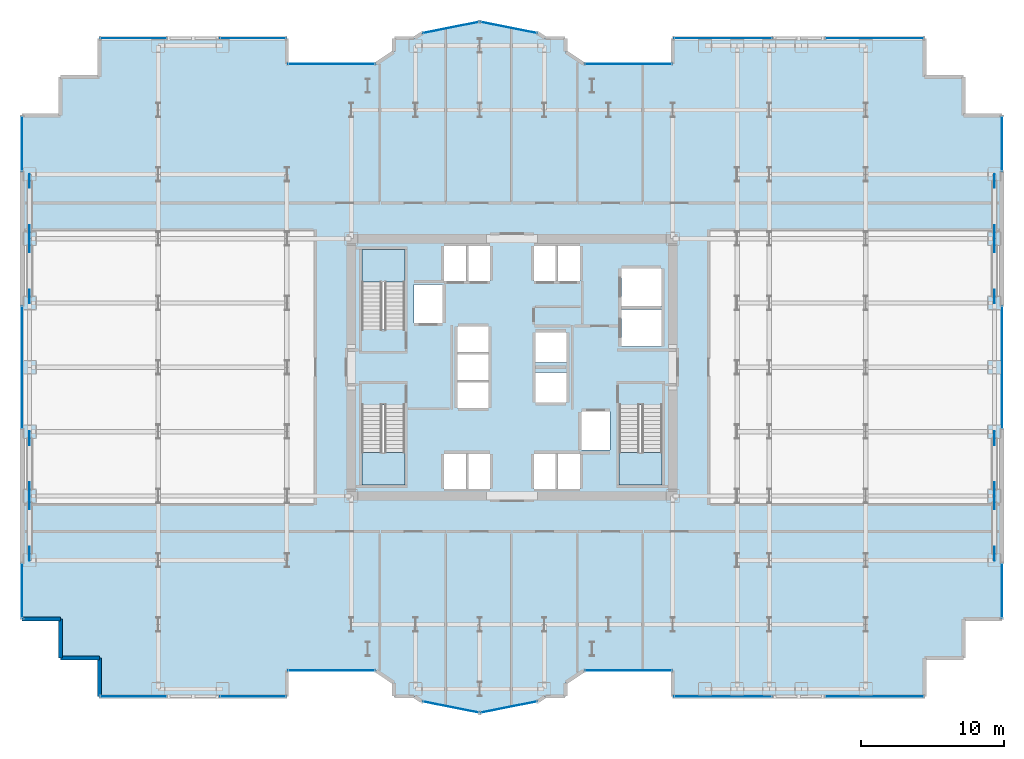
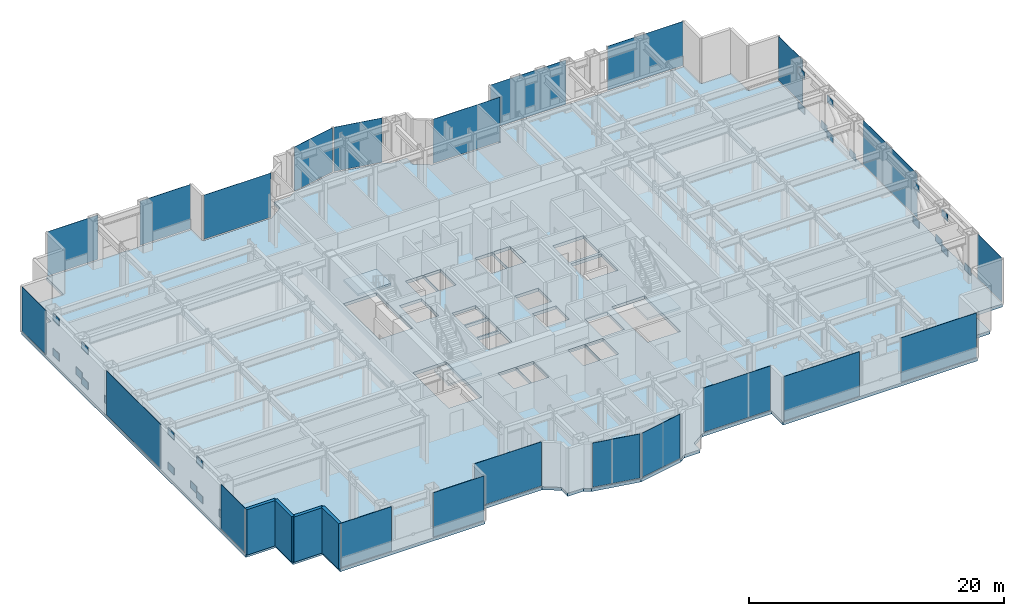
# One storey, part 21 of 30: 46 plates, 4 slabs, 4 walls, 25 elements without a shape of their own.
"""IFC4 building model written with IfcOpenShell, lengths in metres."""

from ifc_helpers import new_model, si_unit, direction, frame, frame_2d, origin, origin_2d, place, context, subcontext, project, spatial, polyline, rectangle, outline, extrude, source, transform, mapped, material, layer, layer_set, type_object, element, aggregate, save


model = new_model("IFC4")

# Units and contexts
model_context = context("Model", 3, precision=1e-05, world=origin(), true_north=direction((0.0, 1.0)))
body_context = subcontext(model_context, "Body", "Model", "MODEL_VIEW")
ifc_project = project(units=[si_unit("LENGTHUNIT", "METRE"), si_unit("AREAUNIT", "SQUARE_METRE"), si_unit("VOLUMEUNIT", "CUBIC_METRE"), si_unit("PLANEANGLEUNIT", "RADIAN"), si_unit("MASSUNIT", "GRAM", prefix="KILO")], contexts=[model_context])

# Site, building, storey
site_placement = place(None, origin())
site = spatial("IfcSite", under=ifc_project, at=site_placement, CompositionType="ELEMENT")
building_placement = place(site_placement, origin())
building = spatial("IfcBuilding", under=site, at=building_placement, Name="Nefas-Gora Pilgrimage Tower", CompositionType="ELEMENT")
storey_placement = place(building_placement, frame((0.0, 0.0, 86.199951171875)))
storey = spatial("IfcBuildingStorey", under=building, at=storey_placement, Name="L20", CompositionType="ELEMENT", Elevation=86.199951171875)

# Slab
ifc_material_1 = material(Name="Concrete C45/55", Category="concrete")
ifc_layer_1 = layer(ifc_material_1, 0.300048828125)
ifc_layer_set_1 = layer_set([ifc_layer_1], Name="Concrete C45/55")
slab_type_1 = type_object("IfcSlabType", Name="SLB-SPEC-300", PredefinedType="FLOOR", material=ifc_layer_set_1)
slab_1_placement = place(storey_placement, frame((0.0, 0.0, -0.300048828125)))
element("IfcSlab", 1, at=slab_1_placement, inside=storey, type_object=slab_type_1, Name="L20 Structural Floor Slab", PredefinedType="FLOOR", context=body_context, shape_type="SweptSolid", body=[
    extrude(outline(polyline([(5.01806640625, -21.219970703125), (11.25, -21.219970703125), (11.25, -23.02001953125), (28.8701171875, -23.02001953125), (28.8701171875, -20.320068359375), (31.570068359375, -20.320068359375), (31.570068359375, -17.6201171875), (34.27001953125, -17.6201171875), (34.27001953125, 17.6201171875), (31.570068359375, 17.6201171875), (31.570068359375, 20.320068359375), (28.8701171875, 20.320068359375), (28.8701171875, 23.02001953125), (11.25, 23.02001953125), (11.25, 21.219970703125), (5.01806640625, 21.219970703125), (3.75, 22.0673828125), (3.75, 23.02001953125), (2.32421875, 23.02001953125), (1.807373046875, 23.365234375), (-2.25, 24.17236328125), (-6.307373046875, 23.365234375), (-6.82421875, 23.02001953125), (-8.25, 23.02001953125), (-8.25, 22.0673828125), (-9.51806640625, 21.219970703125), (-15.75, 21.219970703125), (-15.75, 23.02001953125), (-28.8701171875, 23.02001953125), (-28.8701171875, 20.320068359375), (-31.570068359375, 20.320068359375), (-31.570068359375, 17.6201171875), (-34.27001953125, 17.6201171875), (-34.27001953125, -17.6201171875), (-31.570068359375, -17.6201171875), (-31.570068359375, -20.320068359375), (-28.8701171875, -20.320068359375), (-28.8701171875, -23.02001953125), (-15.75, -23.02001953125), (-15.75, -21.219970703125), (-9.51806640625, -21.219970703125), (-8.25, -22.0673828125), (-8.25, -23.02001953125), (-6.82421875, -23.02001953125), (-6.307373046875, -23.365234375), (-2.25, -24.17236328125), (1.807373046875, -23.365234375), (2.32421875, -23.02001953125), (3.75, -23.02001953125), (3.75, -22.0673828125), (5.01806640625, -21.219970703125)]), holes=[polyline([(-10.5, 2.639892578125), (-10.5, 8.25), (-7.5, 8.25), (-7.5, 2.639892578125), (-10.5, 2.639892578125)]), polyline([(10.5, -2.639892578125), (10.5, -8.25), (7.5, -8.25), (7.5, -2.639892578125), (10.5, -2.639892578125)]), polyline([(-7.5, -2.639892578125), (-7.5, -8.25), (-10.5, -8.25), (-10.5, -2.639892578125), (-7.5, -2.639892578125)]), polyline([(-6.85009765625, 5.800048828125), (-4.85009765625, 5.800048828125), (-4.85009765625, 3.10009765625), (-6.85009765625, 3.10009765625), (-6.85009765625, 5.800048828125)]), polyline([(4.85009765625, -3.10009765625), (6.85009765625, -3.10009765625), (6.85009765625, -5.800048828125), (4.85009765625, -5.800048828125), (4.85009765625, -3.10009765625)]), polyline([(7.64990234375, 4.050048828125), (10.449951171875, 4.050048828125), (10.449951171875, 1.449951171875), (7.64990234375, 1.449951171875), (7.64990234375, 4.050048828125)]), polyline([(7.64990234375, 6.89990234375), (10.449951171875, 6.89990234375), (10.449951171875, 4.300048828125), (7.64990234375, 4.300048828125), (7.64990234375, 6.89990234375)]), polyline([(-4.75, 8.5), (-3.14990234375, 8.5), (-3.14990234375, 6.050048828125), (-4.75, 6.050048828125), (-4.75, 8.5)]), polyline([(-3.10009765625, 8.5), (-1.550048828125, 8.5), (-1.550048828125, 6.050048828125), (-3.10009765625, 6.050048828125), (-3.10009765625, 8.5)]), polyline([(1.550048828125, 8.5), (3.10009765625, 8.5), (3.10009765625, 6.050048828125), (1.550048828125, 6.050048828125), (1.550048828125, 8.5)]), polyline([(3.14990234375, 8.5), (4.75, 8.5), (4.75, 6.050048828125), (3.14990234375, 6.050048828125), (3.14990234375, 8.5)]), polyline([(-4.75, -6.050048828125), (-3.14990234375, -6.050048828125), (-3.14990234375, -8.5), (-4.75, -8.5), (-4.75, -6.050048828125)]), polyline([(-3.10009765625, -6.050048828125), (-1.550048828125, -6.050048828125), (-1.550048828125, -8.5), (-3.10009765625, -8.5), (-3.10009765625, -6.050048828125)]), polyline([(1.550048828125, -6.050048828125), (3.10009765625, -6.050048828125), (3.10009765625, -8.5), (1.550048828125, -8.5), (1.550048828125, -6.050048828125)]), polyline([(3.14990234375, -6.050048828125), (4.75, -6.050048828125), (4.75, -8.5), (3.14990234375, -8.5), (3.14990234375, -6.050048828125)]), polyline([(-3.800048828125, -1.050048828125), (-1.64990234375, -1.050048828125), (-1.64990234375, -2.85009765625), (-3.800048828125, -2.85009765625), (-3.800048828125, -1.050048828125)]), polyline([(-3.800048828125, 0.89990234375), (-1.64990234375, 0.89990234375), (-1.64990234375, -0.89990234375), (-3.800048828125, -0.89990234375), (-3.800048828125, 0.89990234375)]), polyline([(-3.800048828125, 2.85009765625), (-1.64990234375, 2.85009765625), (-1.64990234375, 1.050048828125), (-3.800048828125, 1.050048828125), (-3.800048828125, 2.85009765625)]), polyline([(1.64990234375, -0.35009765625), (3.800048828125, -0.35009765625), (3.800048828125, -2.449951171875), (1.64990234375, -2.449951171875), (1.64990234375, -0.35009765625)]), polyline([(1.64990234375, 2.449951171875), (3.800048828125, 2.449951171875), (3.800048828125, 0.35009765625), (1.64990234375, 0.35009765625), (1.64990234375, 2.449951171875)])]), origin(), (0.0, 0.0, 1.0), 0.300048828125),
])

# Stair, slab
stair_type = type_object("IfcStairType", Name="STR-1400-R1769", PredefinedType="HALF_TURN_STAIR", material=ifc_material_1)
stair_1_placement = place(storey_placement, origin())
stair_1 = element("IfcStair", 2, at=stair_1_placement, inside=storey, type_object=stair_type, Name="L20 Pressurised Tower Exit Stair ST-01", PredefinedType="HALF_TURN_STAIR")
ifc_material_2 = material(Name="Concrete C40/50", Category="concrete")
ifc_layer_2 = layer(ifc_material_2, 0.199951171875)
ifc_layer_set_2 = layer_set([ifc_layer_2], Name="Concrete C40/50")
slab_type_2 = type_object("IfcSlabType", Name="STR-LAND-200", PredefinedType="LANDING", material=ifc_layer_set_2)
slab_2_placement = place(storey_placement, frame((0.0, 0.0, 2.10009765625)))
slab_2 = element("IfcSlab", 3, at=slab_2_placement, type_object=slab_type_2, Name="ST-01 landing 1", PredefinedType="LANDING", context=body_context, shape_type="SweptSolid", body=[
    extrude(outline(polyline([(-7.5, 5.9599609375), (-7.5, 8.25), (-10.5, 8.25), (-10.5, 5.9599609375), (-7.5, 5.9599609375)])), origin(), (0.0, 0.0, 1.0), 0.199951171875),
])
aggregate(stair_1, [slab_2])

stair_2_placement = place(storey_placement, origin())
stair_2 = element("IfcStair", 4, at=stair_2_placement, inside=storey, type_object=stair_type, Name="L20 Pressurised Tower Exit Stair ST-02", PredefinedType="HALF_TURN_STAIR")
slab_3_placement = place(storey_placement, frame((0.0, 0.0, 2.10009765625)))
slab_3 = element("IfcSlab", 5, at=slab_3_placement, type_object=slab_type_2, Name="ST-02 landing 1", PredefinedType="LANDING", context=body_context, shape_type="SweptSolid", body=[
    extrude(outline(polyline([(7.5, -5.9599609375), (7.5, -8.25), (10.5, -8.25), (10.5, -5.9599609375), (7.5, -5.9599609375)])), origin(), (0.0, 0.0, 1.0), 0.199951171875),
])
aggregate(stair_2, [slab_3])

stair_3_placement = place(storey_placement, origin())
stair_3 = element("IfcStair", 6, at=stair_3_placement, inside=storey, type_object=stair_type, Name="L20 Pressurised Tower Exit Stair ST-03", PredefinedType="HALF_TURN_STAIR")
slab_4_placement = place(storey_placement, frame((0.0, 0.0, 2.10009765625)))
slab_4 = element("IfcSlab", 7, at=slab_4_placement, type_object=slab_type_2, Name="ST-03 landing 1", PredefinedType="LANDING", context=body_context, shape_type="SweptSolid", body=[
    extrude(outline(polyline([(-10.5, -5.9599609375), (-10.5, -8.25), (-7.5, -8.25), (-7.5, -5.9599609375), (-10.5, -5.9599609375)])), origin(), (0.0, 0.0, 1.0), 0.199951171875),
])
aggregate(stair_3, [slab_4])

# Plates
ifc_material_3 = material(Name="Steel S460", Category="steel")
ifc_layer_3 = layer(ifc_material_3, 0.0419921875)
ifc_layer_set_3 = layer_set([ifc_layer_3], Name="Steel S460")
plate_type_1 = type_object("IfcPlateType", Name="PLT-NODE-N04", PredefinedType="USERDEFINED", material=ifc_layer_set_3)
shared_shape_1 = source(origin(), body_context, "Body", "SweptSolid", [
    extrude(rectangle(XDim=0.9599609375, YDim=0.0419921875, at=origin_2d()), origin(), (0.0, 0.0, 1.0), 0.679931640625),
])
for number, where, z_axis, x_axis, name in (
    (8, (-33.75, -13.037109375, 0.39599609375), (0.0, 0.0, 1.0), (0.0, 1.0, 0.0), "Structural Node Gusset Plate N04 (L20)"),
    (9, (-33.75, -9.462890625, 0.01025390625), (0.0, 0.0, 1.0), (0.0, 1.0, 0.0), "Structural Node Gusset Plate N04 (L20)"),
    (10, (-33.75, -9.462890625, 3.37451171875), (0.0, 0.0, 1.0), (0.0, 1.0, 0.0), "Structural Node Gusset Plate N04 (L20)"),
    (11, (-33.75, -8.537109375, 0.39599609375), (0.0, 0.0, 1.0), (0.0, 1.0, 0.0), "Structural Node Gusset Plate N04 (L20)"),
    (12, (-33.75, -4.962890625, 0.01025390625), (0.0, 0.0, 1.0), (0.0, 1.0, 0.0), "Structural Node Gusset Plate N04 (L20)"),
    (13, (-33.75, -4.962890625, 3.37451171875), (0.0, 0.0, 1.0), (0.0, 1.0, 0.0), "Structural Node Gusset Plate N04 (L20)"),
    (14, (-33.75, 4.962890625, 0.39599609375), (0.0, 0.0, 1.0), (0.0, 1.0, 0.0), "Structural Node Gusset Plate N04 (L20)"),
    (15, (-33.75, 8.537109375, 0.01025390625), (0.0, 0.0, 1.0), (0.0, 1.0, 0.0), "Structural Node Gusset Plate N04 (L20)"),
    (16, (-33.75, 8.537109375, 3.37451171875), (0.0, 0.0, 1.0), (0.0, 1.0, 0.0), "Structural Node Gusset Plate N04 (L20)"),
    (17, (-33.75, 9.462890625, 0.39599609375), (0.0, 0.0, 1.0), (0.0, 1.0, 0.0), "Structural Node Gusset Plate N04 (L20)"),
    (18, (-33.75, 13.037109375, 0.01025390625), (0.0, 0.0, 1.0), (0.0, 1.0, 0.0), "Structural Node Gusset Plate N04 (L20)"),
    (19, (-33.75, 13.037109375, 3.37451171875), (0.0, 0.0, 1.0), (0.0, 1.0, 0.0), "Structural Node Gusset Plate N04 (L20)"),
    (20, (33.75, -13.037109375, 0.39599609375), (0.0, 0.0, 1.0), (0.0, 1.0, 0.0), "Structural Node Gusset Plate N04 (L20)"),
    (21, (33.75, -9.462890625, 0.01025390625), (0.0, 0.0, 1.0), (0.0, 1.0, 0.0), "Structural Node Gusset Plate N04 (L20)"),
    (22, (33.75, -9.462890625, 3.37451171875), (0.0, 0.0, 1.0), (0.0, 1.0, 0.0), "Structural Node Gusset Plate N04 (L20)"),
    (23, (33.75, -8.537109375, 0.39599609375), (0.0, 0.0, 1.0), (0.0, 1.0, 0.0), "Structural Node Gusset Plate N04 (L20)"),
    (24, (33.75, -4.962890625, 0.01025390625), (0.0, 0.0, 1.0), (0.0, 1.0, 0.0), "Structural Node Gusset Plate N04 (L20)"),
    (25, (33.75, -4.962890625, 3.37451171875), (0.0, 0.0, 1.0), (0.0, 1.0, 0.0), "Structural Node Gusset Plate N04 (L20)"),
    (26, (33.75, 4.962890625, 0.39599609375), (0.0, 0.0, 1.0), (0.0, 1.0, 0.0), "Structural Node Gusset Plate N04 (L20)"),
    (27, (33.75, 8.537109375, 0.01025390625), (0.0, 0.0, 1.0), (0.0, 1.0, 0.0), "Structural Node Gusset Plate N04 (L20)"),
    (28, (33.75, 8.537109375, 3.37451171875), (0.0, 0.0, 1.0), (0.0, 1.0, 0.0), "Structural Node Gusset Plate N04 (L20)"),
    (29, (33.75, 9.462890625, 0.39599609375), (0.0, 0.0, 1.0), (0.0, 1.0, 0.0), "Structural Node Gusset Plate N04 (L20)"),
    (30, (33.75, 13.037109375, 0.01025390625), (0.0, 0.0, 1.0), (0.0, 1.0, 0.0), "Structural Node Gusset Plate N04 (L20)"),
    (31, (33.75, 13.037109375, 3.37451171875), (0.0, 0.0, 1.0), (0.0, 1.0, 0.0), "Structural Node Gusset Plate N04 (L20)"),
):
    element("IfcPlate", number, at=place(storey_placement, frame(where, z_axis=z_axis, x_axis=x_axis)), inside=storey, type_object=plate_type_1, Name=name, ObjectType="GUSSET_PLATE", PredefinedType="USERDEFINED", context=body_context, shape_type="MappedRepresentation", body=[
        mapped(shared_shape_1, transform((0.0, 0.0, 0.0), x_axis=(1.0, 0.0, 0.0), y_axis=(0.0, 1.0, 0.0), z_axis=(0.0, 0.0, 1.0), scale=1.0)),
    ])

# Curtain wall, plate
ifc_material_4 = material(Name="Dark ceramic-fritted solar-control aluminium-glass curtain wall", Category="aluminium")
ifc_layer_4 = layer(ifc_material_4, 0.219970703125)
ifc_layer_set_4 = layer_set([ifc_layer_4], Name="Dark ceramic-fritted solar-control aluminium-glass curtain wall")
curtain_wall_type_1 = type_object("IfcCurtainWallType", Name="CW-SYS-5", PredefinedType="NOTDEFINED", material=ifc_layer_set_4)
curtain_wall_1_placement = place(storey_placement, origin())
curtain_wall_1 = element("IfcCurtainWall", 32, at=curtain_wall_1_placement, inside=storey, type_object=curtain_wall_type_1, Name="L20 Unitised Curtain Wall CW5", PredefinedType="NOTDEFINED")
ifc_material_5 = material(Name="Dark ceramic-printed low-e insulated glass", Category="glass")
ifc_layer_5 = layer(ifc_material_5, 0.028076171875)
ifc_layer_set_5 = layer_set([ifc_layer_5], Name="Dark ceramic-printed low-e insulated glass")
plate_type_2 = type_object("IfcPlateType", Name="CWP-PNL-5", PredefinedType="CURTAIN_PANEL", material=ifc_layer_set_5)
shared_shape_2 = source(origin(), body_context, "Body", "SweptSolid", [
    extrude(rectangle(XDim=6.052001953125, YDim=0.028076171875, at=origin_2d()), origin(), (0.0, 0.0, 1.0), 4.239990234375),
])
plate_1_placement = place(storey_placement, frame((8.134033203125, -21.219970703125, 0.10009765625), z_axis=(0.0, 0.0, 1.0), x_axis=(1.0, 0.0, 0.0)))
plate_1 = element("IfcPlate", 33, at=plate_1_placement, type_object=plate_type_2, Name="CW5 Ceramic-Fritted Glazing Panel 1", PredefinedType="CURTAIN_PANEL", context=body_context, shape_type="MappedRepresentation", body=[
    mapped(shared_shape_2, transform((0.0, 0.0, 0.0), x_axis=(1.0, 0.0, 0.0), y_axis=(0.0, 1.0, 0.0), z_axis=(0.0, 0.0, 1.0), scale=1.0)),
])
aggregate(curtain_wall_1, [plate_1])

curtain_wall_2_placement = place(storey_placement, origin())
curtain_wall_2 = element("IfcCurtainWall", 34, at=curtain_wall_2_placement, inside=storey, type_object=curtain_wall_type_1, Name="L20 Unitised Curtain Wall CW5", PredefinedType="NOTDEFINED")
plate_2_placement = place(storey_placement, frame((8.134033203125, 21.219970703125, 0.10009765625), z_axis=(0.0, 0.0, 1.0), x_axis=(-1.0, 0.0, 0.0)))
plate_2 = element("IfcPlate", 35, at=plate_2_placement, type_object=plate_type_2, Name="CW5 Ceramic-Fritted Glazing Panel 1", PredefinedType="CURTAIN_PANEL", context=body_context, shape_type="MappedRepresentation", body=[
    mapped(shared_shape_2, transform((0.0, 0.0, 0.0), x_axis=(1.0, 0.0, 0.0), y_axis=(0.0, 1.0, 0.0), z_axis=(0.0, 0.0, 1.0), scale=1.0)),
])
aggregate(curtain_wall_2, [plate_2])

curtain_wall_3_placement = place(storey_placement, origin())
curtain_wall_3 = element("IfcCurtainWall", 36, at=curtain_wall_3_placement, inside=storey, type_object=curtain_wall_type_1, Name="L20 Unitised Curtain Wall CW5", PredefinedType="NOTDEFINED")
plate_3_placement = place(storey_placement, frame((-12.634033203125, 21.219970703125, 0.10009765625), z_axis=(0.0, 0.0, 1.0), x_axis=(-1.0, 0.0, 0.0)))
plate_3 = element("IfcPlate", 37, at=plate_3_placement, type_object=plate_type_2, Name="CW5 Ceramic-Fritted Glazing Panel 1", PredefinedType="CURTAIN_PANEL", context=body_context, shape_type="MappedRepresentation", body=[
    mapped(shared_shape_2, transform((0.0, 0.0, 0.0), x_axis=(1.0, 0.0, 0.0), y_axis=(0.0, 1.0, 0.0), z_axis=(0.0, 0.0, 1.0), scale=1.0)),
])
aggregate(curtain_wall_3, [plate_3])

curtain_wall_4_placement = place(storey_placement, origin())
curtain_wall_4 = element("IfcCurtainWall", 38, at=curtain_wall_4_placement, inside=storey, type_object=curtain_wall_type_1, Name="L20 Unitised Curtain Wall CW5", PredefinedType="NOTDEFINED")
plate_4_placement = place(storey_placement, frame((-12.634033203125, -21.219970703125, 0.10009765625), z_axis=(0.0, 0.0, 1.0), x_axis=(1.0, 0.0, 0.0)))
plate_4 = element("IfcPlate", 39, at=plate_4_placement, type_object=plate_type_2, Name="CW5 Ceramic-Fritted Glazing Panel 1", PredefinedType="CURTAIN_PANEL", context=body_context, shape_type="MappedRepresentation", body=[
    mapped(shared_shape_2, transform((0.0, 0.0, 0.0), x_axis=(1.0, 0.0, 0.0), y_axis=(0.0, 1.0, 0.0), z_axis=(0.0, 0.0, 1.0), scale=1.0)),
])
aggregate(curtain_wall_4, [plate_4])

ifc_layer_6 = layer(ifc_material_4, 0.219970703125)
ifc_layer_set_6 = layer_set([ifc_layer_6], Name="Dark ceramic-fritted solar-control aluminium-glass curtain wall")
curtain_wall_type_2 = type_object("IfcCurtainWallType", Name="CW-SYS-2", PredefinedType="NOTDEFINED", material=ifc_layer_set_6)
curtain_wall_5_placement = place(storey_placement, origin())
curtain_wall_5 = element("IfcCurtainWall", 40, at=curtain_wall_5_placement, inside=storey, type_object=curtain_wall_type_2, Name="L20 Unitised Curtain Wall CW2", PredefinedType="NOTDEFINED")
ifc_layer_7 = layer(ifc_material_5, 0.031982421875)
ifc_layer_set_7 = layer_set([ifc_layer_7], Name="Dark ceramic-printed low-e insulated glass")
plate_type_3 = type_object("IfcPlateType", Name="CWP-PNL-2", PredefinedType="CURTAIN_PANEL", material=ifc_layer_set_7)
shared_shape_3 = source(origin(), body_context, "Body", "SweptSolid", [
    extrude(rectangle(XDim=6.830078125, YDim=0.031982421875, at=origin_2d()), origin(), (0.0, 0.0, 1.0), 4.239990234375),
])
plate_5_placement = place(storey_placement, frame((14.7548828125, -23.02001953125, 0.10009765625), z_axis=(0.0, 0.0, 1.0), x_axis=(1.0, 0.0, 0.0)))
plate_5 = element("IfcPlate", 41, at=plate_5_placement, type_object=plate_type_3, Name="CW2 Ceramic-Fritted Glazing Panel 1", PredefinedType="CURTAIN_PANEL", context=body_context, shape_type="MappedRepresentation", body=[
    mapped(shared_shape_3, transform((0.0, 0.0, 0.0), x_axis=(1.0, 0.0, 0.0), y_axis=(0.0, 1.0, 0.0), z_axis=(0.0, 0.0, 1.0), scale=1.0)),
])
aggregate(curtain_wall_5, [plate_5])

curtain_wall_6_placement = place(storey_placement, origin())
curtain_wall_6 = element("IfcCurtainWall", 42, at=curtain_wall_6_placement, inside=storey, type_object=curtain_wall_type_2, Name="L20 Unitised Curtain Wall CW2", PredefinedType="NOTDEFINED")
plate_6_placement = place(storey_placement, frame((25.364990234375, -23.02001953125, 0.10009765625), z_axis=(0.0, 0.0, 1.0), x_axis=(1.0, 0.0, 0.0)))
plate_6 = element("IfcPlate", 43, at=plate_6_placement, type_object=plate_type_3, Name="CW2 Ceramic-Fritted Glazing Panel 1", PredefinedType="CURTAIN_PANEL", context=body_context, shape_type="MappedRepresentation", body=[
    mapped(shared_shape_3, transform((0.0, 0.0, 0.0), x_axis=(1.0, 0.0, 0.0), y_axis=(0.0, 1.0, 0.0), z_axis=(0.0, 0.0, 1.0), scale=1.0)),
])
aggregate(curtain_wall_6, [plate_6])

curtain_wall_7_placement = place(storey_placement, origin())
curtain_wall_7 = element("IfcCurtainWall", 44, at=curtain_wall_7_placement, inside=storey, type_object=curtain_wall_type_2, Name="L20 Unitised Curtain Wall CW2", PredefinedType="NOTDEFINED")
plate_7_placement = place(storey_placement, frame((25.364990234375, 23.02001953125, 0.10009765625), z_axis=(0.0, 0.0, 1.0), x_axis=(-1.0, 0.0, 0.0)))
plate_7 = element("IfcPlate", 45, at=plate_7_placement, type_object=plate_type_3, Name="CW2 Ceramic-Fritted Glazing Panel 1", PredefinedType="CURTAIN_PANEL", context=body_context, shape_type="MappedRepresentation", body=[
    mapped(shared_shape_3, transform((0.0, 0.0, 0.0), x_axis=(1.0, 0.0, 0.0), y_axis=(0.0, 1.0, 0.0), z_axis=(0.0, 0.0, 1.0), scale=1.0)),
])
aggregate(curtain_wall_7, [plate_7])

curtain_wall_8_placement = place(storey_placement, origin())
curtain_wall_8 = element("IfcCurtainWall", 46, at=curtain_wall_8_placement, inside=storey, type_object=curtain_wall_type_2, Name="L20 Unitised Curtain Wall CW2", PredefinedType="NOTDEFINED")
plate_8_placement = place(storey_placement, frame((14.7548828125, 23.02001953125, 0.10009765625), z_axis=(0.0, 0.0, 1.0), x_axis=(-1.0, 0.0, 0.0)))
plate_8 = element("IfcPlate", 47, at=plate_8_placement, type_object=plate_type_3, Name="CW2 Ceramic-Fritted Glazing Panel 1", PredefinedType="CURTAIN_PANEL", context=body_context, shape_type="MappedRepresentation", body=[
    mapped(shared_shape_3, transform((0.0, 0.0, 0.0), x_axis=(1.0, 0.0, 0.0), y_axis=(0.0, 1.0, 0.0), z_axis=(0.0, 0.0, 1.0), scale=1.0)),
])
aggregate(curtain_wall_8, [plate_8])

curtain_wall_9_placement = place(storey_placement, origin())
curtain_wall_9 = element("IfcCurtainWall", 48, at=curtain_wall_9_placement, inside=storey, type_object=curtain_wall_type_2, Name="L20 Unitised Curtain Wall CW2", PredefinedType="NOTDEFINED")
shared_shape_4 = source(origin(), body_context, "Body", "SweptSolid", [
    extrude(rectangle(XDim=3.7900390625, YDim=0.031982421875, at=origin_2d()), origin(), (0.0, 0.0, 1.0), 4.239990234375),
])
plate_9_placement = place(storey_placement, frame((34.27001953125, -15.635009765625, 0.10009765625), z_axis=(0.0, 0.0, 1.0), x_axis=(0.0, 1.0, 0.0)))
plate_9 = element("IfcPlate", 49, at=plate_9_placement, type_object=plate_type_3, Name="CW2 Ceramic-Fritted Glazing Panel 1", PredefinedType="CURTAIN_PANEL", context=body_context, shape_type="MappedRepresentation", body=[
    mapped(shared_shape_4, transform((0.0, 0.0, 0.0), x_axis=(1.0, 0.0, 0.0), y_axis=(0.0, 1.0, 0.0), z_axis=(0.0, 0.0, 1.0), scale=1.0)),
])
aggregate(curtain_wall_9, [plate_9])

curtain_wall_10_placement = place(storey_placement, origin())
curtain_wall_10 = element("IfcCurtainWall", 50, at=curtain_wall_10_placement, inside=storey, type_object=curtain_wall_type_2, Name="L20 Unitised Curtain Wall CW2", PredefinedType="NOTDEFINED")
plate_10_placement = place(storey_placement, frame((34.27001953125, 15.635009765625, 0.10009765625), z_axis=(0.0, 0.0, 1.0), x_axis=(0.0, 1.0, 0.0)))
plate_10 = element("IfcPlate", 51, at=plate_10_placement, type_object=plate_type_3, Name="CW2 Ceramic-Fritted Glazing Panel 1", PredefinedType="CURTAIN_PANEL", context=body_context, shape_type="MappedRepresentation", body=[
    mapped(shared_shape_4, transform((0.0, 0.0, 0.0), x_axis=(1.0, 0.0, 0.0), y_axis=(0.0, 1.0, 0.0), z_axis=(0.0, 0.0, 1.0), scale=1.0)),
])
aggregate(curtain_wall_10, [plate_10])

curtain_wall_11_placement = place(storey_placement, origin())
curtain_wall_11 = element("IfcCurtainWall", 52, at=curtain_wall_11_placement, inside=storey, type_object=curtain_wall_type_2, Name="L20 Unitised Curtain Wall CW2", PredefinedType="NOTDEFINED")
plate_11_placement = place(storey_placement, frame((-34.27001953125, 15.635009765625, 0.10009765625), z_axis=(0.0, 0.0, 1.0), x_axis=(0.0, -1.0, 0.0)))
plate_11 = element("IfcPlate", 53, at=plate_11_placement, type_object=plate_type_3, Name="CW2 Ceramic-Fritted Glazing Panel 1", PredefinedType="CURTAIN_PANEL", context=body_context, shape_type="MappedRepresentation", body=[
    mapped(shared_shape_4, transform((0.0, 0.0, 0.0), x_axis=(1.0, 0.0, 0.0), y_axis=(0.0, 1.0, 0.0), z_axis=(0.0, 0.0, 1.0), scale=1.0)),
])
aggregate(curtain_wall_11, [plate_11])

curtain_wall_12_placement = place(storey_placement, origin())
curtain_wall_12 = element("IfcCurtainWall", 54, at=curtain_wall_12_placement, inside=storey, type_object=curtain_wall_type_2, Name="L20 Unitised Curtain Wall CW2", PredefinedType="NOTDEFINED")
plate_12_placement = place(storey_placement, frame((-34.27001953125, -15.635009765625, 0.10009765625), z_axis=(0.0, 0.0, 1.0), x_axis=(0.0, -1.0, 0.0)))
plate_12 = element("IfcPlate", 55, at=plate_12_placement, type_object=plate_type_3, Name="CW2 Ceramic-Fritted Glazing Panel 1", PredefinedType="CURTAIN_PANEL", context=body_context, shape_type="MappedRepresentation", body=[
    mapped(shared_shape_4, transform((0.0, 0.0, 0.0), x_axis=(1.0, 0.0, 0.0), y_axis=(0.0, 1.0, 0.0), z_axis=(0.0, 0.0, 1.0), scale=1.0)),
])
aggregate(curtain_wall_12, [plate_12])

curtain_wall_13_placement = place(storey_placement, origin())
curtain_wall_13 = element("IfcCurtainWall", 56, at=curtain_wall_13_placement, inside=storey, type_object=curtain_wall_type_2, Name="L20 Unitised Curtain Wall CW2", PredefinedType="NOTDEFINED")
shared_shape_5 = source(origin(), body_context, "Body", "SweptSolid", [
    extrude(rectangle(XDim=8.52001953125, YDim=0.031982421875, at=origin_2d()), origin(), (0.0, 0.0, 1.0), 4.239990234375),
])
plate_13_placement = place(storey_placement, frame((34.27001953125, 0.0, 0.10009765625), z_axis=(0.0, 0.0, 1.0), x_axis=(0.0, 1.0, 0.0)))
plate_13 = element("IfcPlate", 57, at=plate_13_placement, type_object=plate_type_3, Name="CW2 Ceramic-Fritted Glazing Panel 1", PredefinedType="CURTAIN_PANEL", context=body_context, shape_type="MappedRepresentation", body=[
    mapped(shared_shape_5, transform((0.0, 0.0, 0.0), x_axis=(1.0, 0.0, 0.0), y_axis=(0.0, 1.0, 0.0), z_axis=(0.0, 0.0, 1.0), scale=1.0)),
])
aggregate(curtain_wall_13, [plate_13])

curtain_wall_14_placement = place(storey_placement, origin())
curtain_wall_14 = element("IfcCurtainWall", 58, at=curtain_wall_14_placement, inside=storey, type_object=curtain_wall_type_2, Name="L20 Unitised Curtain Wall CW2", PredefinedType="NOTDEFINED")
plate_14_placement = place(storey_placement, frame((-34.27001953125, 0.0, 0.10009765625), z_axis=(0.0, 0.0, 1.0), x_axis=(0.0, -1.0, 0.0)))
plate_14 = element("IfcPlate", 59, at=plate_14_placement, type_object=plate_type_3, Name="CW2 Ceramic-Fritted Glazing Panel 1", PredefinedType="CURTAIN_PANEL", context=body_context, shape_type="MappedRepresentation", body=[
    mapped(shared_shape_5, transform((0.0, 0.0, 0.0), x_axis=(1.0, 0.0, 0.0), y_axis=(0.0, 1.0, 0.0), z_axis=(0.0, 0.0, 1.0), scale=1.0)),
])
aggregate(curtain_wall_14, [plate_14])

curtain_wall_15_placement = place(storey_placement, origin())
curtain_wall_15 = element("IfcCurtainWall", 60, at=curtain_wall_15_placement, inside=storey, type_object=curtain_wall_type_1, Name="L20 Unitised Curtain Wall CW5", PredefinedType="NOTDEFINED")
shared_shape_6 = source(origin(), body_context, "Body", "SweptSolid", [
    extrude(rectangle(XDim=3.956787109375, YDim=0.028076171875, at=origin_2d()), origin(), (0.0, 0.0, 1.0), 4.239990234375),
])
plate_15_placement = place(storey_placement, frame((-0.22119140625, 23.768798828125, 0.10009765625), z_axis=(0.0, 0.0, 1.0), x_axis=(-0.980782896852, 0.195102304554, 0.0)))
plate_15 = element("IfcPlate", 61, at=plate_15_placement, type_object=plate_type_2, Name="CW5 Ceramic-Fritted Glazing Panel 1", PredefinedType="CURTAIN_PANEL", context=body_context, shape_type="MappedRepresentation", body=[
    mapped(shared_shape_6, transform((0.0, 0.0, 0.0), x_axis=(1.0, 0.0, 0.0), y_axis=(0.0, 1.0, 0.0), z_axis=(0.0, 0.0, 1.0), scale=1.0)),
])
aggregate(curtain_wall_15, [plate_15])

curtain_wall_16_placement = place(storey_placement, origin())
curtain_wall_16 = element("IfcCurtainWall", 62, at=curtain_wall_16_placement, inside=storey, type_object=curtain_wall_type_1, Name="L20 Unitised Curtain Wall CW5", PredefinedType="NOTDEFINED")
plate_16_placement = place(storey_placement, frame((-4.278564453125, 23.768798828125, 0.10009765625), z_axis=(0.0, 0.0, 1.0), x_axis=(-0.980782896852, -0.195102304554, 0.0)))
plate_16 = element("IfcPlate", 63, at=plate_16_placement, type_object=plate_type_2, Name="CW5 Ceramic-Fritted Glazing Panel 1", PredefinedType="CURTAIN_PANEL", context=body_context, shape_type="MappedRepresentation", body=[
    mapped(shared_shape_6, transform((0.0, 0.0, 0.0), x_axis=(1.0, 0.0, 0.0), y_axis=(0.0, 1.0, 0.0), z_axis=(0.0, 0.0, 1.0), scale=1.0)),
])
aggregate(curtain_wall_16, [plate_16])

curtain_wall_17_placement = place(storey_placement, origin())
curtain_wall_17 = element("IfcCurtainWall", 64, at=curtain_wall_17_placement, inside=storey, type_object=curtain_wall_type_1, Name="L20 Unitised Curtain Wall CW5", PredefinedType="NOTDEFINED")
plate_17_placement = place(storey_placement, frame((-4.278564453125, -23.768798828125, 0.10009765625), z_axis=(0.0, 0.0, 1.0), x_axis=(0.980782896852, -0.195102304554, 0.0)))
plate_17 = element("IfcPlate", 65, at=plate_17_placement, type_object=plate_type_2, Name="CW5 Ceramic-Fritted Glazing Panel 1", PredefinedType="CURTAIN_PANEL", context=body_context, shape_type="MappedRepresentation", body=[
    mapped(shared_shape_6, transform((0.0, 0.0, 0.0), x_axis=(1.0, 0.0, 0.0), y_axis=(0.0, 1.0, 0.0), z_axis=(0.0, 0.0, 1.0), scale=1.0)),
])
aggregate(curtain_wall_17, [plate_17])

curtain_wall_18_placement = place(storey_placement, origin())
curtain_wall_18 = element("IfcCurtainWall", 66, at=curtain_wall_18_placement, inside=storey, type_object=curtain_wall_type_1, Name="L20 Unitised Curtain Wall CW5", PredefinedType="NOTDEFINED")
plate_18_placement = place(storey_placement, frame((-0.221435546875, -23.768798828125, 0.10009765625), z_axis=(0.0, 0.0, 1.0), x_axis=(0.980782896852, 0.195102304554, 0.0)))
plate_18 = element("IfcPlate", 67, at=plate_18_placement, type_object=plate_type_2, Name="CW5 Ceramic-Fritted Glazing Panel 1", PredefinedType="CURTAIN_PANEL", context=body_context, shape_type="MappedRepresentation", body=[
    mapped(shared_shape_6, transform((0.0, 0.0, 0.0), x_axis=(1.0, 0.0, 0.0), y_axis=(0.0, 1.0, 0.0), z_axis=(0.0, 0.0, 1.0), scale=1.0)),
])
aggregate(curtain_wall_18, [plate_18])

curtain_wall_19_placement = place(storey_placement, origin())
curtain_wall_19 = element("IfcCurtainWall", 68, at=curtain_wall_19_placement, inside=storey, type_object=curtain_wall_type_2, Name="L20 Unitised Curtain Wall CW2", PredefinedType="NOTDEFINED")
shared_shape_7 = source(origin(), body_context, "Body", "SweptSolid", [
    extrude(rectangle(XDim=4.580078125, YDim=0.031982421875, at=origin_2d()), origin(), (0.0, 0.0, 1.0), 4.239990234375),
])
plate_19_placement = place(storey_placement, frame((-18.1298828125, 23.02001953125, 0.10009765625), z_axis=(0.0, 0.0, 1.0), x_axis=(-1.0, 0.0, 0.0)))
plate_19 = element("IfcPlate", 69, at=plate_19_placement, type_object=plate_type_3, Name="CW2 Ceramic-Fritted Glazing Panel 1", PredefinedType="CURTAIN_PANEL", context=body_context, shape_type="MappedRepresentation", body=[
    mapped(shared_shape_7, transform((0.0, 0.0, 0.0), x_axis=(1.0, 0.0, 0.0), y_axis=(0.0, 1.0, 0.0), z_axis=(0.0, 0.0, 1.0), scale=1.0)),
])
aggregate(curtain_wall_19, [plate_19])

curtain_wall_20_placement = place(storey_placement, origin())
curtain_wall_20 = element("IfcCurtainWall", 70, at=curtain_wall_20_placement, inside=storey, type_object=curtain_wall_type_2, Name="L20 Unitised Curtain Wall CW2", PredefinedType="NOTDEFINED")
plate_20_placement = place(storey_placement, frame((-26.489990234375, 23.02001953125, 0.10009765625), z_axis=(0.0, 0.0, 1.0), x_axis=(-1.0, 0.0, 0.0)))
plate_20 = element("IfcPlate", 71, at=plate_20_placement, type_object=plate_type_3, Name="CW2 Ceramic-Fritted Glazing Panel 1", PredefinedType="CURTAIN_PANEL", context=body_context, shape_type="MappedRepresentation", body=[
    mapped(shared_shape_7, transform((0.0, 0.0, 0.0), x_axis=(1.0, 0.0, 0.0), y_axis=(0.0, 1.0, 0.0), z_axis=(0.0, 0.0, 1.0), scale=1.0)),
])
aggregate(curtain_wall_20, [plate_20])

curtain_wall_21_placement = place(storey_placement, origin())
curtain_wall_21 = element("IfcCurtainWall", 72, at=curtain_wall_21_placement, inside=storey, type_object=curtain_wall_type_2, Name="L20 Unitised Curtain Wall CW2", PredefinedType="NOTDEFINED")
plate_21_placement = place(storey_placement, frame((-26.489990234375, -23.02001953125, 0.10009765625), z_axis=(0.0, 0.0, 1.0), x_axis=(1.0, 0.0, 0.0)))
plate_21 = element("IfcPlate", 73, at=plate_21_placement, type_object=plate_type_3, Name="CW2 Ceramic-Fritted Glazing Panel 1", PredefinedType="CURTAIN_PANEL", context=body_context, shape_type="MappedRepresentation", body=[
    mapped(shared_shape_7, transform((0.0, 0.0, 0.0), x_axis=(1.0, 0.0, 0.0), y_axis=(0.0, 1.0, 0.0), z_axis=(0.0, 0.0, 1.0), scale=1.0)),
])
aggregate(curtain_wall_21, [plate_21])

curtain_wall_22_placement = place(storey_placement, origin())
curtain_wall_22 = element("IfcCurtainWall", 74, at=curtain_wall_22_placement, inside=storey, type_object=curtain_wall_type_2, Name="L20 Unitised Curtain Wall CW2", PredefinedType="NOTDEFINED")
plate_22_placement = place(storey_placement, frame((-18.1298828125, -23.02001953125, 0.10009765625), z_axis=(0.0, 0.0, 1.0), x_axis=(1.0, 0.0, 0.0)))
plate_22 = element("IfcPlate", 75, at=plate_22_placement, type_object=plate_type_3, Name="CW2 Ceramic-Fritted Glazing Panel 1", PredefinedType="CURTAIN_PANEL", context=body_context, shape_type="MappedRepresentation", body=[
    mapped(shared_shape_7, transform((0.0, 0.0, 0.0), x_axis=(1.0, 0.0, 0.0), y_axis=(0.0, 1.0, 0.0), z_axis=(0.0, 0.0, 1.0), scale=1.0)),
])
aggregate(curtain_wall_22, [plate_22])

# Walls
ifc_material_6 = material(Name="Precast concrete C45/55", Category="concrete")
ifc_layer_8 = layer(ifc_material_6, 0.280029296875)
ifc_layer_set_8 = layer_set([ifc_layer_8], Name="Precast concrete C45/55")
wall_type = type_object("IfcWallType", Name="EW-PLANT-280", PredefinedType="SOLIDWALL", material=ifc_layer_set_8)
shared_shape_8 = source(origin(), body_context, "Body", "SweptSolid", [
    extrude(rectangle(XDim=2.699951171875, YDim=0.280029296875, at=frame_2d((1.35009765625, 0.0))), origin(), (0.0, 0.0, 1.0), 4.35009765625),
])
for number, where, z_axis, x_axis, name in (
    (76, (-34.27001953125, -17.6201171875, 0.0), (0.0, 0.0, 1.0), (1.0, 0.0, 0.0), "L20 Serrated Corner Shear Pier Wall 31"),
    (77, (-31.570068359375, -17.6201171875, 0.0), (0.0, 0.0, 1.0), (0.0, -1.0, 0.0), "L20 Serrated Corner Shear Pier Wall 32"),
    (78, (-31.570068359375, -20.320068359375, 0.0), (0.0, 0.0, 1.0), (1.0, 0.0, 0.0), "L20 Serrated Corner Shear Pier Wall 33"),
    (79, (-28.8701171875, -20.320068359375, 0.0), (0.0, 0.0, 1.0), (0.0, -1.0, 0.0), "L20 Serrated Corner Shear Pier Wall 34"),
):
    element("IfcWall", number, at=place(storey_placement, frame(where, z_axis=z_axis, x_axis=x_axis)), inside=storey, type_object=wall_type, Name=name, PredefinedType="SOLIDWALL", context=body_context, shape_type="MappedRepresentation", body=[
        mapped(shared_shape_8, transform((0.0, 0.0, 0.0), x_axis=(1.0, 0.0, 0.0), y_axis=(0.0, 1.0, 0.0), z_axis=(0.0, 0.0, 1.0), scale=1.0)),
    ])

save(model, "model.ifc")
